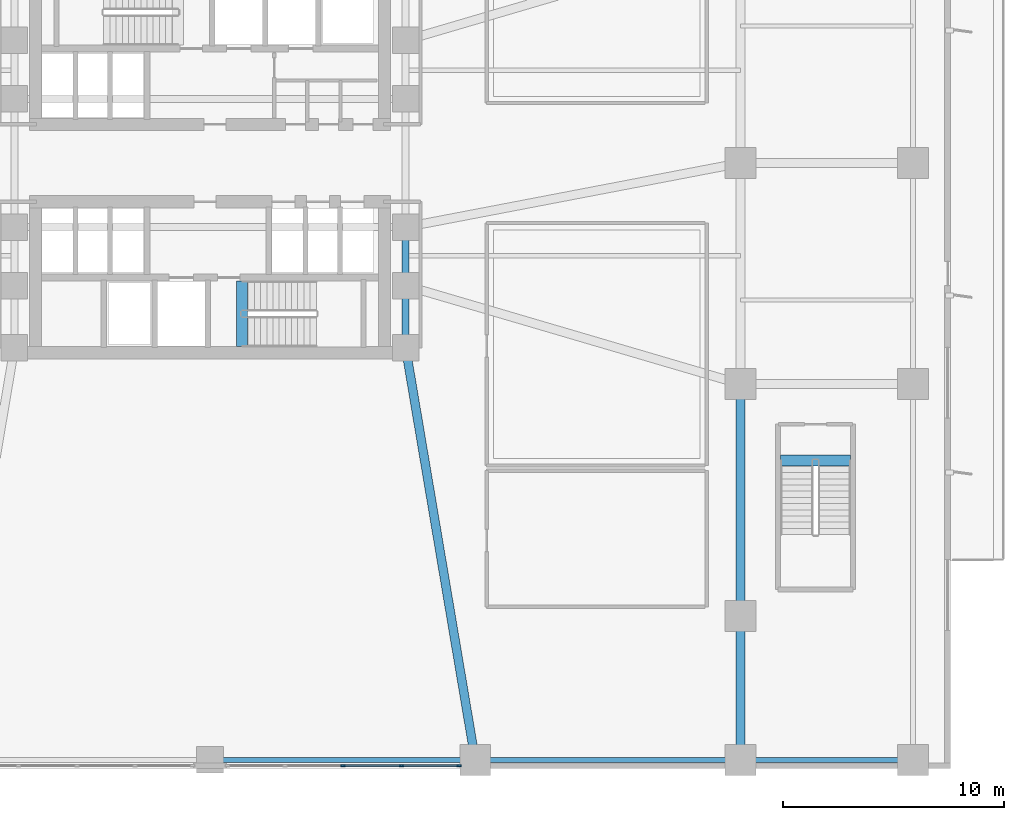
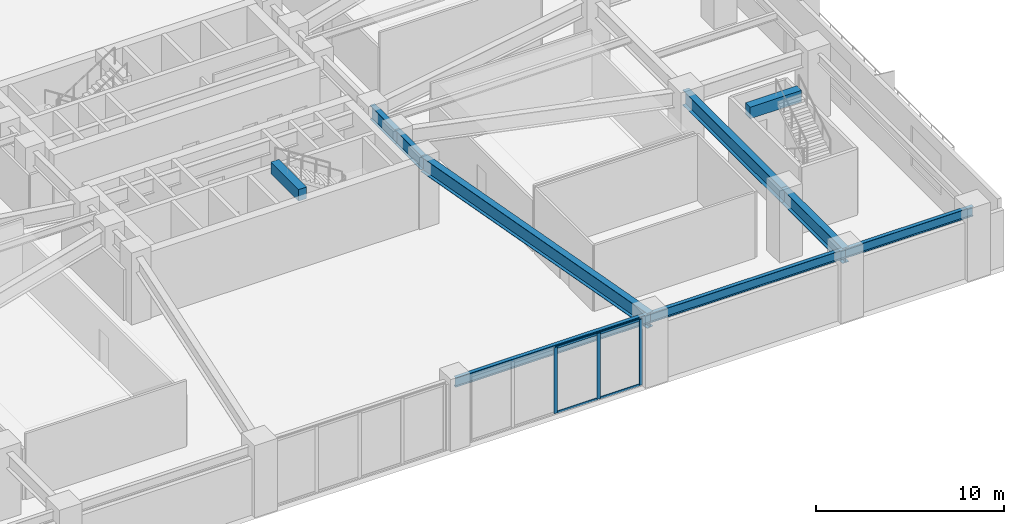
# One storey, part 4 of 13: 10 beams, 7 members, 1 element without a shape of its own.
"""IFC4 building model written with IfcOpenShell, lengths in metres."""

import ifcopenshell
import ifcopenshell.guid

model = None  # the IFC model being written
_history = None  # IfcOwnerHistory: only IFC2X3 demands one
_inside = {}  # id of a spatial element -> (the spatial element, [elements in it])
_under = {}  # id of a project, library or spatial element -> (it, [spatial elements below it])
_declared = {}  # id of a project -> (the project, [libraries it declares])
_typed = {}  # id of a type object -> (the type object, [elements of that type])
_made_of = {}  # id of a material, layer set ... -> (it, [elements and type objects made of it])


def new_model(schema):
    """Start an empty IFC model of exactly this schema.

    Asked for "IFC4X3", IfcOpenShell would pick the latest addendum, in which some entities
    have other attributes; the version numbers below select the first issue.
    IFC2X3 requires an IfcOwnerHistory on every rooted entity: one is made here for all.
    """
    global model, _history
    if schema == "IFC4X3":
        model = ifcopenshell.file(schema_version=(4, 3, 0, 0))
    else:
        model = ifcopenshell.file(schema=schema)
    _inside.clear()
    _under.clear()
    _declared.clear()
    _typed.clear()
    _made_of.clear()
    _history = None
    if model.schema == "IFC2X3":
        org = make("IfcOrganization", Name="unknown")
        user = make(
            "IfcPersonAndOrganization",
            ThePerson=make("IfcPerson", FamilyName="unknown"),
            TheOrganization=org,
        )
        app = make(
            "IfcApplication",
            ApplicationDeveloper=org,
            Version="unknown",
            ApplicationFullName="unknown",
            ApplicationIdentifier="unknown",
        )
        _history = make(
            "IfcOwnerHistory",
            OwningUser=user,
            OwningApplication=app,
            ChangeAction="ADDED",
            CreationDate=0,
        )
    return model


def make(cls, **values):
    """One entity of the class cls with the attributes given. An attribute that is None is left unset."""
    return model.create_entity(
        cls, **{name: value for name, value in values.items() if value is not None}
    )


def rooted(cls, **values):
    """An entity with a GlobalId (a new one), such as an element, a storey or a relation."""
    return make(cls, GlobalId=ifcopenshell.guid.new(), OwnerHistory=_history, **values)


def si_unit(unit_type, name, prefix=None):
    """IfcSIUnit, for example si_unit("LENGTHUNIT", "METRE", prefix="MILLI")."""
    return make("IfcSIUnit", UnitType=unit_type, Prefix=prefix, Name=name)


def assignment(units):
    """IfcUnitAssignment: the units of a project."""
    return None if units is None else make("IfcUnitAssignment", Units=units)


def point(xyz):
    """IfcCartesianPoint."""
    return None if xyz is None else make("IfcCartesianPoint", Coordinates=xyz)


def direction(xyz):
    """IfcDirection."""
    return None if xyz is None else make("IfcDirection", DirectionRatios=xyz)


def frame(location, z_axis=None, x_axis=None):
    """IfcAxis2Placement3D, a coordinate frame: its origin and axes. An axis left out is left unset."""
    return make(
        "IfcAxis2Placement3D",
        Location=point(location),
        Axis=direction(z_axis),
        RefDirection=direction(x_axis),
    )


def frame_2d(location, x_axis=None):
    """IfcAxis2Placement2D, a coordinate frame in the plane: its origin and x axis."""
    return make(
        "IfcAxis2Placement2D", Location=point(location), RefDirection=direction(x_axis)
    )


def origin():
    """The frame at (0, 0, 0) with its axes left unset."""
    return frame((0.0, 0.0, 0.0))


def origin_2d():
    """The frame at (0, 0) in the plane with its x axis left unset."""
    return frame_2d((0.0, 0.0))


def place(relative_to, where):
    """IfcLocalPlacement: puts the frame where relative to a parent placement (None: the world)."""
    return make(
        "IfcLocalPlacement", PlacementRelTo=relative_to, RelativePlacement=where
    )


def context(
    kind, dimensions, precision=None, world=None, true_north=None, identifier=None
):
    """IfcGeometricRepresentationContext, for example the 3D "Model" context."""
    return make(
        "IfcGeometricRepresentationContext",
        ContextIdentifier=identifier,
        ContextType=kind,
        CoordinateSpaceDimension=dimensions,
        Precision=precision,
        WorldCoordinateSystem=world,
        TrueNorth=true_north,
    )


def subcontext(parent, identifier, kind, view, scale=None):
    """IfcGeometricRepresentationSubContext, for example "Body" below "Model"."""
    return make(
        "IfcGeometricRepresentationSubContext",
        ContextIdentifier=identifier,
        ContextType=kind,
        ParentContext=parent,
        TargetScale=scale,
        TargetView=view,
    )


def project(units=None, contexts=None):
    """IfcProject with its units and contexts."""
    return rooted(
        "IfcProject",
        Name="project",
        RepresentationContexts=contexts,
        UnitsInContext=assignment(units),
    )


def spatial(cls, under=None, at=None, **own):
    """A site, building, storey or space (cls), placed at a placement, below another one or the project."""
    s = rooted(cls, ObjectPlacement=at, **own)
    if under is not None:
        _under.setdefault(under.id(), (under, []))[1].append(s)
    return s


def profile(cls, at=None, kind="AREA", **sizes):
    """A parametric profile (cls). Its sizes go by their IFC names, for example OverallWidth=200.0."""
    return make(cls, ProfileType=kind, Position=at, **sizes)


def rectangle(**sizes):
    """IfcRectangleProfileDef."""
    return profile("IfcRectangleProfileDef", **sizes)


def i_section(**sizes):
    """IfcIShapeProfileDef."""
    return profile("IfcIShapeProfileDef", **sizes)


def extrude(swept, where, along, depth):
    """IfcExtrudedAreaSolid: the profile swept, set in the frame where, extruded along a direction by depth."""
    return make(
        "IfcExtrudedAreaSolid",
        SweptArea=swept,
        Position=where,
        ExtrudedDirection=direction(along),
        Depth=depth,
    )


def shape(context_of_items, identifier, shape_type, items):
    """IfcShapeRepresentation: the items that make up one representation, for example the "Body"."""
    return make(
        "IfcShapeRepresentation",
        ContextOfItems=context_of_items,
        RepresentationIdentifier=identifier,
        RepresentationType=shape_type,
        Items=items,
    )


def material(Name=None, Category=None):
    """IfcMaterial."""
    return make("IfcMaterial", Name=Name, Category=Category)


def layer(
    of_material, thickness, ventilated=None, Name=None, Category=None, Priority=None
):
    """IfcMaterialLayer: one layer of a wall or slab, of a material (None: an air gap)."""
    return make(
        "IfcMaterialLayer",
        Material=of_material,
        LayerThickness=thickness,
        IsVentilated=ventilated,
        Name=Name,
        Category=Category,
        Priority=Priority,
    )


def layer_set(layers, Name=None):
    """IfcMaterialLayerSet."""
    return make("IfcMaterialLayerSet", MaterialLayers=layers, LayerSetName=Name)


def material_profile(
    of_material, cross_section, Name=None, Category=None, Priority=None
):
    """IfcMaterialProfile: a cross section and its material."""
    return make(
        "IfcMaterialProfile",
        Name=Name,
        Material=of_material,
        Profile=cross_section,
        Priority=Priority,
        Category=Category,
    )


def profile_set(profiles, Name=None, composite=None):
    """IfcMaterialProfileSet."""
    return make(
        "IfcMaterialProfileSet",
        Name=Name,
        MaterialProfiles=profiles,
        CompositeProfile=composite,
    )


def made_of(thing, what):
    """Note that an element or type object is made of a material, layer set ...; save() writes the relation."""
    if what is not None:
        _made_of.setdefault(what.id(), (what, []))[1].append(thing)
    return thing


def type_object(cls, material=None, **own):
    """A type object (cls), such as IfcWallType, which elements share."""
    return made_of(rooted(cls, **own), material)


def element(
    cls,
    number,
    at=None,
    inside=None,
    cuts=None,
    type_object=None,
    material=None,
    context=None,
    identifier="Body",
    shape_type=None,
    held_by="IfcProductDefinitionShape",
    body=None,
    shapes=None,
    **own,
):
    """One element of the class cls, such as IfcWall. Its Tag is "e" and its number.

    at: its placement. inside: the storey or other place that contains it. cuts: it is an
    opening in that element (IfcRelVoidsElement). A single representation is given by context,
    identifier, shape_type and body (its items); several are given by shapes. held_by: the class
    of the entity that holds the representations. save() writes the other relations.
    """
    e = rooted(cls, Tag="e%d" % number, ObjectPlacement=at, **own)
    if body is not None:
        shapes = [shape(context, identifier, shape_type, body)]
    if shapes is not None:
        e.Representation = make(held_by, Representations=shapes)
    if inside is not None:
        _inside.setdefault(inside.id(), (inside, []))[1].append(e)
    if cuts is not None:
        rooted(
            "IfcRelVoidsElement", RelatingBuildingElement=cuts, RelatedOpeningElement=e
        )
    if type_object is not None:
        _typed.setdefault(type_object.id(), (type_object, []))[1].append(e)
    return made_of(e, material)


def aggregate(whole, parts):
    """IfcRelAggregates: a whole, such as a stair, and the parts it consists of."""
    return rooted("IfcRelAggregates", RelatingObject=whole, RelatedObjects=parts)


def save(model, path):
    """Write the relations noted so far, then the file.

    IfcRelAggregates (storeys below a building ...), IfcRelContainedInSpatialStructure (elements
    in a storey), IfcRelDefinesByType, IfcRelAssociatesMaterial and IfcRelDeclares: one each for
    every whole, place, type object, material and project.
    """
    for whole, parts in _under.values():
        aggregate(whole, parts)
    for where, things in _inside.values():
        rooted(
            "IfcRelContainedInSpatialStructure",
            RelatedElements=things,
            RelatingStructure=where,
        )
    for kind, things in _typed.values():
        rooted("IfcRelDefinesByType", RelatedObjects=things, RelatingType=kind)
    for what, things in _made_of.values():
        rooted("IfcRelAssociatesMaterial", RelatedObjects=things, RelatingMaterial=what)
    for by, libraries in _declared.values():
        rooted("IfcRelDeclares", RelatingContext=by, RelatedDefinitions=libraries)
    model.write(path)


model = new_model("IFC4")

# Units and contexts
model_context = context("Model", 3, precision=1e-05, world=origin(), true_north=direction((0.0, 1.0)))
body_context = subcontext(model_context, "Body", "Model", "MODEL_VIEW")
ifc_project = project(units=[si_unit("LENGTHUNIT", "METRE"), si_unit("AREAUNIT", "SQUARE_METRE"), si_unit("VOLUMEUNIT", "CUBIC_METRE"), si_unit("PLANEANGLEUNIT", "RADIAN"), si_unit("MASSUNIT", "GRAM", prefix="KILO")], contexts=[model_context])

# Site, building, storey
site_placement = place(None, origin())
site = spatial("IfcSite", under=ifc_project, at=site_placement, CompositionType="ELEMENT")
building_placement = place(site_placement, origin())
building = spatial("IfcBuilding", under=site, at=building_placement, Name="Solmarez Civic Tower", CompositionType="ELEMENT")
storey_placement = place(building_placement, frame((0.0, 0.0, 14.760009765625)))
storey = spatial("IfcBuildingStorey", under=building, at=storey_placement, Name="L03", CompositionType="ELEMENT", Elevation=14.760009765625)

# Beams
ifc_material_1 = material(Name="Concrete C50/60", Category="concrete")
ifc_material_profile_1 = material_profile(ifc_material_1, rectangle(XDim=0.5, YDim=0.75, at=origin_2d()), Name="RC500X750")
ifc_profile_set_1 = profile_set([ifc_material_profile_1], Name="Concrete C50/60")
beam_type_1 = type_object("IfcBeamType", Name="BM-PR-RC500X750", PredefinedType="BEAM", material=ifc_profile_set_1)
beam_1_placement = place(storey_placement, frame((1.449951171875, -8.300048828125, 4.31298828125), z_axis=(0.0, 1.0, 0.0), x_axis=(-1.0, 0.0, 0.0)))
element("IfcBeam", 1, at=beam_1_placement, inside=storey, type_object=beam_type_1, Name="L03 South Stair Threshold Beam", PredefinedType="BEAM", context=body_context, shape_type="SweptSolid", body=[
    extrude(rectangle(XDim=0.5, YDim=0.75, at=origin_2d()), origin(), (0.0, 0.0, 1.0), 2.9599609375),
])
beam_2_placement = place(storey_placement, frame((25.820068359375, -13.449951171875, 4.31103515625), z_axis=(1.0, 0.0, 0.0), x_axis=(0.0, 1.0, 0.0)))
element("IfcBeam", 2, at=beam_2_placement, inside=storey, type_object=beam_type_1, Name="L03 East Podium Stair Threshold Beam", PredefinedType="BEAM", context=body_context, shape_type="SweptSolid", body=[
    extrude(rectangle(XDim=0.5, YDim=0.75, at=origin_2d()), origin(), (0.0, 0.0, 1.0), 3.159912109375),
])
ifc_material_2 = material(Name="Steel S355", Category="steel")
ifc_material_profile_2 = material_profile(ifc_material_2, i_section(OverallWidth=0.306884765625, OverallDepth=0.927001953125, WebThickness=0.019287109375, FlangeThickness=0.031982421875, at=origin_2d()), Name="W36X194")
ifc_profile_set_2 = profile_set([ifc_material_profile_2], Name="Steel S355")
beam_type_2 = type_object("IfcBeamType", Name="BM-PR-W36X194", PredefinedType="BEAM", material=ifc_profile_set_2)
beam_3_placement = place(storey_placement, frame((8.85009765625, -8.35009765625, 3.81591796875), z_axis=(0.0, 1.0, 0.0), x_axis=(-1.0, 0.0, 0.0)))
element("IfcBeam", 3, at=beam_3_placement, inside=storey, type_object=beam_type_2, Name="L03 Primary Floor Beam BM-L03-HC10-HC5", PredefinedType="BEAM", context=body_context, shape_type="SweptSolid", body=[
    extrude(i_section(OverallWidth=0.306884765625, OverallDepth=0.927001953125, WebThickness=0.019287109375, FlangeThickness=0.031982421875, at=origin_2d()), origin(), (0.0, 0.0, 1.0), 2.800048828125),
])
beam_4_placement = place(storey_placement, frame((8.85009765625, -5.550048828125, 3.81591796875), z_axis=(0.0, 1.0, 0.0), x_axis=(-1.0, 0.0, 0.0)))
element("IfcBeam", 4, at=beam_4_placement, inside=storey, type_object=beam_type_2, Name="L03 Primary Floor Beam BM-L03-HC5-HC6", PredefinedType="BEAM", context=body_context, shape_type="SweptSolid", body=[
    extrude(i_section(OverallWidth=0.306884765625, OverallDepth=0.927001953125, WebThickness=0.019287109375, FlangeThickness=0.031982421875, at=origin_2d()), origin(), (0.0, 0.0, 1.0), 2.650146484375),
])
ifc_material_profile_3 = material_profile(ifc_material_2, i_section(OverallWidth=0.39892578125, OverallDepth=0.98193359375, WebThickness=0.0166015625, FlangeThickness=0.027099609375, at=origin_2d()), Name="W40X199")
ifc_profile_set_3 = profile_set([ifc_material_profile_3], Name="Steel S355")
beam_type_3 = type_object("IfcBeamType", Name="BM-PR-W40X199", PredefinedType="BEAM", material=ifc_profile_set_3)
beam_5_placement = place(storey_placement, frame((24.0, -27.0, 3.7890625), z_axis=(0.0, 1.0, 0.0), x_axis=(-1.0, 0.0, 0.0)))
element("IfcBeam", 5, at=beam_5_placement, inside=storey, type_object=beam_type_3, Name="L03 Primary Floor Beam BM-L03-PC05-PC28", PredefinedType="BEAM", context=body_context, shape_type="SweptSolid", body=[
    extrude(i_section(OverallWidth=0.39892578125, OverallDepth=0.98193359375, WebThickness=0.0166015625, FlangeThickness=0.027099609375, at=origin_2d()), origin(), (0.0, 0.0, 1.0), 6.5),
])
beam_6_placement = place(storey_placement, frame((24.0, -20.5, 3.7890625), z_axis=(0.0, 1.0, 0.0), x_axis=(-1.0, 0.0, 0.0)))
element("IfcBeam", 6, at=beam_6_placement, inside=storey, type_object=beam_type_3, Name="L03 Primary Floor Beam BM-L03-PC28-PC22", PredefinedType="BEAM", context=body_context, shape_type="SweptSolid", body=[
    extrude(i_section(OverallWidth=0.39892578125, OverallDepth=0.98193359375, WebThickness=0.0166015625, FlangeThickness=0.027099609375, at=origin_2d()), origin(), (0.0, 0.0, 1.0), 10.5),
])
beam_7_placement = place(storey_placement, frame((12.0, -27.0, 3.7890625), z_axis=(-0.166537824737, 0.986035066786, 0.0), x_axis=(-0.986035066786, -0.166537824737, 0.0)))
element("IfcBeam", 7, at=beam_7_placement, inside=storey, type_object=beam_type_3, Name="L03 Primary Floor Beam BM-L03-PC04-HC10", PredefinedType="BEAM", context=body_context, shape_type="SweptSolid", body=[
    extrude(i_section(OverallWidth=0.39892578125, OverallDepth=0.98193359375, WebThickness=0.0166015625, FlangeThickness=0.027099609375, at=origin_2d()), origin(), (0.0, 0.0, 1.0), 18.9140625),
])
ifc_material_profile_4 = material_profile(ifc_material_2, i_section(OverallWidth=0.22900390625, OverallDepth=0.612060546875, WebThickness=0.011962890625, FlangeThickness=0.01953125, at=origin_2d()), Name="W24X84")
ifc_profile_set_4 = profile_set([ifc_material_profile_4], Name="Steel S355")
beam_type_4 = type_object("IfcBeamType", Name="BM-SP-W24X84", PredefinedType="SPANDREL", material=ifc_profile_set_4)
for number, where, z_axis, x_axis, name in (
    (8, (0.0, -27.0, 3.973876953125), (1.0, 0.0, 0.0), (0.0, 1.0, 0.0), "L03 Perimeter Spandrel Beam BM-L03-PC26-PC04"),
    (9, (12.0, -27.0, 3.973876953125), (1.0, 0.0, 0.0), (0.0, 1.0, 0.0), "L03 Perimeter Spandrel Beam BM-L03-PC04-PC05"),
):
    element("IfcBeam", number, at=place(storey_placement, frame(where, z_axis=z_axis, x_axis=x_axis)), inside=storey, type_object=beam_type_4, Name=name, PredefinedType="SPANDREL", context=body_context, shape_type="SweptSolid", body=[
        extrude(i_section(OverallWidth=0.22900390625, OverallDepth=0.612060546875, WebThickness=0.011962890625, FlangeThickness=0.01953125, at=origin_2d()), origin(), (0.0, 0.0, 1.0), 12.0),
    ])
beam_8_placement = place(storey_placement, frame((24.0, -27.0, 3.973876953125), z_axis=(1.0, 0.0, 0.0), x_axis=(0.0, 1.0, 0.0)))
element("IfcBeam", 10, at=beam_8_placement, inside=storey, type_object=beam_type_4, Name="L03 Perimeter Spandrel Beam BM-L03-PC05-PC06", PredefinedType="SPANDREL", context=body_context, shape_type="SweptSolid", body=[
    extrude(i_section(OverallWidth=0.22900390625, OverallDepth=0.612060546875, WebThickness=0.011962890625, FlangeThickness=0.01953125, at=origin_2d()), origin(), (0.0, 0.0, 1.0), 7.800048828125),
])

# Curtain wall, members
ifc_material_3 = material(Name="Bronze Anodised Aluminium EN AW-6063 T6", Category="aluminium")
ifc_layer = layer(ifc_material_3, 0.199951171875)
ifc_layer_set = layer_set([ifc_layer], Name="Bronze Anodised Aluminium EN AW-6063 T6")
curtain_wall_type = type_object("IfcCurtainWallType", Name="CW-SYS-1", PredefinedType="NOTDEFINED", material=ifc_layer_set)
curtain_wall_placement = place(storey_placement, origin())
curtain_wall = element("IfcCurtainWall", 11, at=curtain_wall_placement, inside=storey, type_object=curtain_wall_type, Name="L03 Podium Monumental Curtain Wall SE", PredefinedType="NOTDEFINED")
ifc_material_profile_5 = material_profile(ifc_material_3, rectangle(XDim=0.074951171875, YDim=0.199951171875, at=origin_2d()), Name="CWM-75X200")
ifc_profile_set_5 = profile_set([ifc_material_profile_5], Name="Bronze Anodised Aluminium EN AW-6063 T6")
member_type_1 = type_object("IfcMemberType", Name="CWM-TYPE-1", PredefinedType="MULLION", material=ifc_profile_set_5)
member_1_placement = place(storey_placement, frame((11.262451171875, -27.27001953125, 0.0), z_axis=(0.0, 0.0, 1.0), x_axis=(0.0, -1.0, 0.0)))
member_1 = element("IfcMember", 12, at=member_1_placement, type_object=member_type_1, Name="CWS1 mullion 1", PredefinedType="MULLION", context=body_context, shape_type="SweptSolid", body=[
    extrude(rectangle(XDim=0.074951171875, YDim=0.199951171875, at=origin_2d()), origin(), (0.0, 0.0, 1.0), 4.280029296875),
])
member_2_placement = place(storey_placement, frame((8.66259765625, -27.27001953125, 0.0), z_axis=(0.0, 0.0, 1.0), x_axis=(0.0, -1.0, 0.0)))
member_2 = element("IfcMember", 13, at=member_2_placement, type_object=member_type_1, Name="CWS1 mullion 2", PredefinedType="MULLION", context=body_context, shape_type="SweptSolid", body=[
    extrude(rectangle(XDim=0.074951171875, YDim=0.199951171875, at=origin_2d()), origin(), (0.0, 0.0, 1.0), 4.280029296875),
])
member_3_placement = place(storey_placement, frame((6.02490234375, -27.27001953125, 0.0), z_axis=(0.0, 0.0, 1.0), x_axis=(0.0, -1.0, 0.0)))
member_3 = element("IfcMember", 14, at=member_3_placement, type_object=member_type_1, Name="CWS1 mullion 3", PredefinedType="MULLION", context=body_context, shape_type="SweptSolid", body=[
    extrude(rectangle(XDim=0.074951171875, YDim=0.199951171875, at=origin_2d()), origin(), (0.0, 0.0, 1.0), 4.280029296875),
])
ifc_material_profile_6 = material_profile(ifc_material_3, rectangle(XDim=0.070068359375, YDim=0.139892578125, at=origin_2d()), Name="CWT-70X140")
ifc_profile_set_6 = profile_set([ifc_material_profile_6], Name="Bronze Anodised Aluminium EN AW-6063 T6")
member_type_2 = type_object("IfcMemberType", Name="CWT-TYPE-1", PredefinedType="USERDEFINED", material=ifc_profile_set_6)
member_4_placement = place(storey_placement, frame((11.22509765625, -27.27001953125, 0.034912109375), z_axis=(-1.0, 0.0, 0.0), x_axis=(0.0, -1.0, 0.0)))
member_4 = element("IfcMember", 15, at=member_4_placement, type_object=member_type_2, Name="CWS1 transom 1.1", ObjectType="TRANSOM", PredefinedType="USERDEFINED", context=body_context, shape_type="SweptSolid", body=[
    extrude(rectangle(XDim=0.070068359375, YDim=0.139892578125, at=origin_2d()), origin(), (0.0, 0.0, 1.0), 2.525146484375),
])
member_5_placement = place(storey_placement, frame((11.22509765625, -27.27001953125, 4.244873046875), z_axis=(-1.0, 0.0, 0.0), x_axis=(0.0, -1.0, 0.0)))
member_5 = element("IfcMember", 16, at=member_5_placement, type_object=member_type_2, Name="CWS1 transom 1.2", ObjectType="TRANSOM", PredefinedType="USERDEFINED", context=body_context, shape_type="SweptSolid", body=[
    extrude(rectangle(XDim=0.070068359375, YDim=0.139892578125, at=origin_2d()), origin(), (0.0, 0.0, 1.0), 2.525146484375),
])
member_6_placement = place(storey_placement, frame((8.625, -27.27001953125, 0.034912109375), z_axis=(-1.0, 0.0, 0.0), x_axis=(0.0, -1.0, 0.0)))
member_6 = element("IfcMember", 17, at=member_6_placement, type_object=member_type_2, Name="CWS1 transom 2.1", ObjectType="TRANSOM", PredefinedType="USERDEFINED", context=body_context, shape_type="SweptSolid", body=[
    extrude(rectangle(XDim=0.070068359375, YDim=0.139892578125, at=origin_2d()), origin(), (0.0, 0.0, 1.0), 2.5625),
])
member_7_placement = place(storey_placement, frame((8.625, -27.27001953125, 4.244873046875), z_axis=(-1.0, 0.0, 0.0), x_axis=(0.0, -1.0, 0.0)))
member_7 = element("IfcMember", 18, at=member_7_placement, type_object=member_type_2, Name="CWS1 transom 2.2", ObjectType="TRANSOM", PredefinedType="USERDEFINED", context=body_context, shape_type="SweptSolid", body=[
    extrude(rectangle(XDim=0.070068359375, YDim=0.139892578125, at=origin_2d()), origin(), (0.0, 0.0, 1.0), 2.5625),
])
aggregate(curtain_wall, [member_1, member_2, member_3, member_4, member_5, member_6, member_7])

save(model, "model.ifc")
